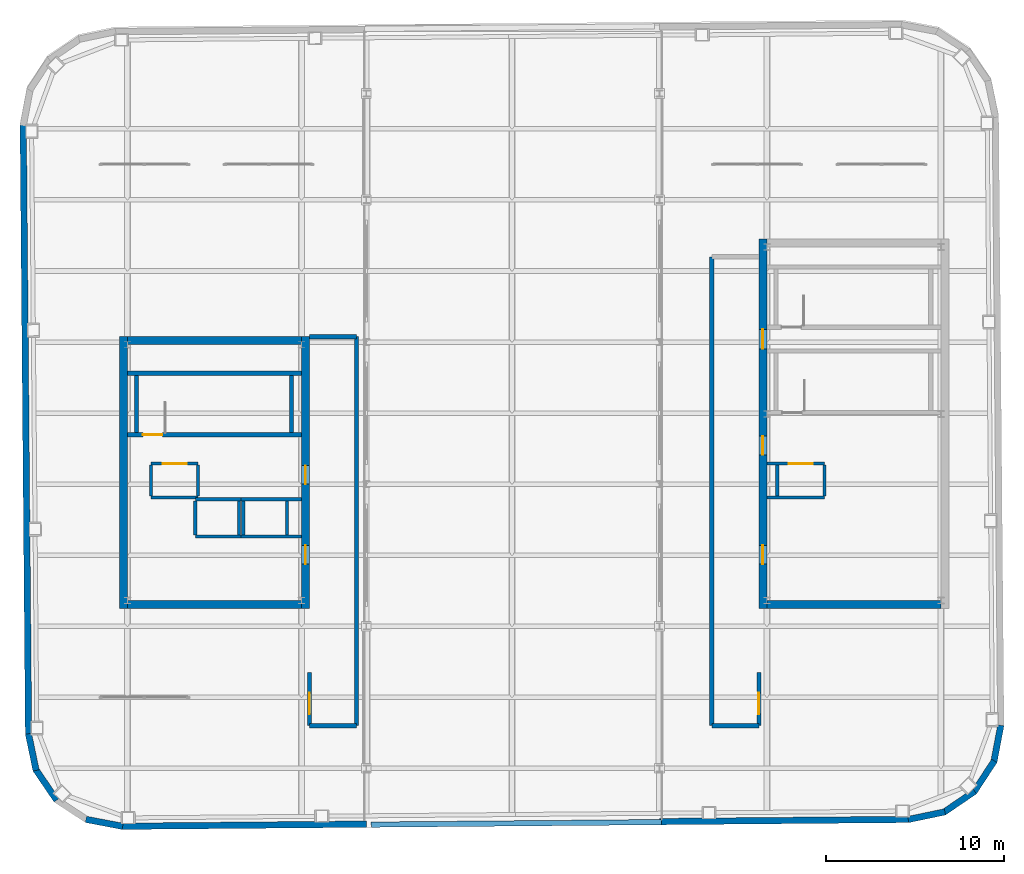
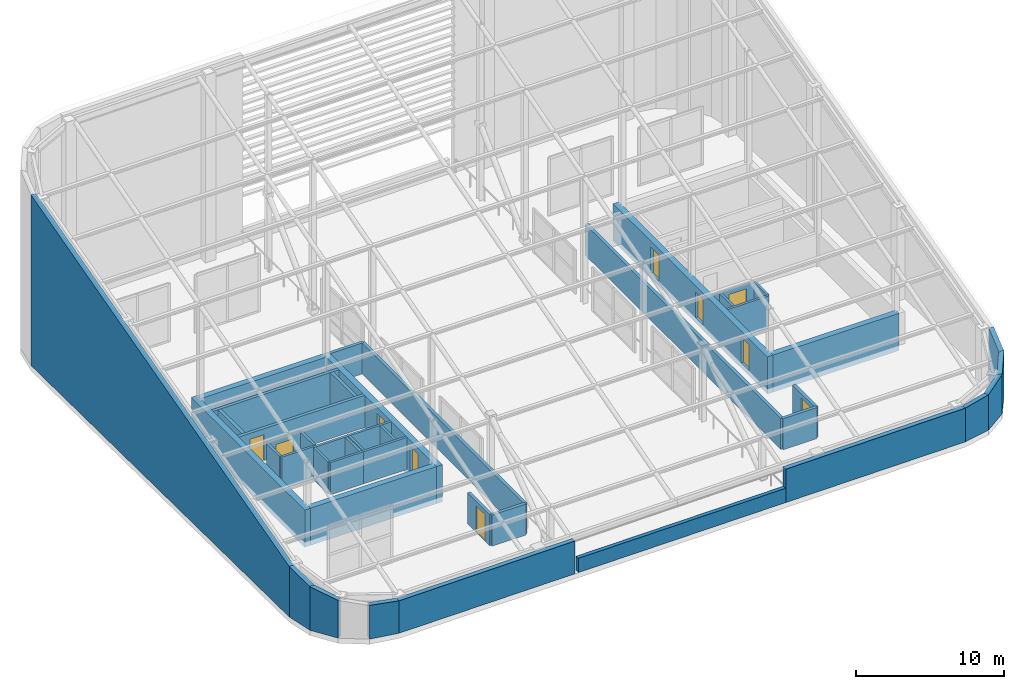
# One storey, part 15 of 17: 44 walls, 10 doors, 10 openings.
"""IFC4 building model written with IfcOpenShell, lengths in metres."""

from ifc_helpers import new_model, si_unit, direction, frame, frame_2d, origin, place, context, subcontext, project, spatial, polyline, rectangle, outline, extrude, material, layer, layer_set, type_object, element, fill, save


model = new_model("IFC4")

# Units and contexts
model_context = context("Model", 3, precision=1e-05, world=origin(), true_north=direction((0.0, 1.0)))
body_context = subcontext(model_context, "Body", "Model", "MODEL_VIEW")
ifc_project = project(units=[si_unit("LENGTHUNIT", "METRE"), si_unit("AREAUNIT", "SQUARE_METRE"), si_unit("VOLUMEUNIT", "CUBIC_METRE"), si_unit("PLANEANGLEUNIT", "RADIAN"), si_unit("MASSUNIT", "GRAM", prefix="KILO")], contexts=[model_context])

# Site, building, storey
site_placement = place(None, origin())
site = spatial("IfcSite", under=ifc_project, at=site_placement, CompositionType="ELEMENT")
building_placement = place(site_placement, origin())
building = spatial("IfcBuilding", under=site, at=building_placement, Name="Kolvaren Arena Tower", CompositionType="ELEMENT")
storey_placement = place(building_placement, frame((0.0, 0.0, 322.0)))
storey = spatial("IfcBuildingStorey", under=building, at=storey_placement, Name="Roof Crown", CompositionType="ELEMENT", Elevation=322.0)

# Wall
ifc_material_1 = material(Name="Concrete 55 MPa", Category="concrete")
ifc_layer_1 = layer(ifc_material_1, 0.449951171875)
ifc_layer_set_1 = layer_set([ifc_layer_1], Name="Concrete 55 MPa")
wall_type_1 = type_object("IfcWallType", Name="CWALL-450", PredefinedType="SHEAR", material=ifc_layer_set_1)
wall_1_placement = place(storey_placement, frame((14.324951171875, 19.0, -0.419921875), z_axis=(0.0, 0.0, 1.0), x_axis=(0.0, 1.0, 0.0)))
element("IfcWall", 1, at=wall_1_placement, inside=storey, type_object=wall_type_1, Name="Core Shear Wall WC-WEST (Roof Crown)", PredefinedType="SHEAR", context=body_context, shape_type="SweptSolid", body=[
    extrude(rectangle(XDim=15.300048828125, YDim=0.449951171875, at=frame_2d((7.64990234375, 0.0))), origin(), (0.0, 0.0, 1.0), 3.059814453125),
])

# Wall, openings, doors
wall_2_placement = place(storey_placement, frame((24.574951171875, 19.0, -0.419921875), z_axis=(0.0, 0.0, 1.0), x_axis=(0.0, 1.0, 0.0)))
wall_2 = element("IfcWall", 2, at=wall_2_placement, inside=storey, type_object=wall_type_1, Name="Core Shear Wall WC-EAST (Roof Crown)", PredefinedType="SHEAR", context=body_context, shape_type="SweptSolid", body=[
    extrude(rectangle(XDim=15.300048828125, YDim=0.449951171875, at=frame_2d((7.64990234375, 0.0))), origin(), (0.0, 0.0, 1.0), 3.059814453125),
])
opening_1_placement = place(wall_2_placement, frame((2.5, 0.0, 0.419921875)))
opening_1 = element("IfcOpeningElement", 3, at=opening_1_placement, cuts=wall_2, Name="Opening D04", PredefinedType="OPENING", context=body_context, shape_type="SweptSolid", body=[
    extrude(rectangle(XDim=1.050048828125, YDim=2.14990234375, at=frame_2d((0.52490234375, 1.074951171875))), frame((0.0, 0.23486328125, 0.0), z_axis=(0.0, -1.0, 0.0), x_axis=(1.0, 0.0, 0.0)), (0.0, 0.0, 1.0), 0.469970703125),
])
opening_2_placement = place(wall_2_placement, frame((7.0, 0.0, 0.419921875)))
opening_2 = element("IfcOpeningElement", 4, at=opening_2_placement, cuts=wall_2, Name="Opening D04", PredefinedType="OPENING", context=body_context, shape_type="SweptSolid", body=[
    extrude(rectangle(XDim=1.050048828125, YDim=2.14990234375, at=frame_2d((0.52490234375, 1.074951171875))), frame((0.0, 0.23486328125, 0.0), z_axis=(0.0, -1.0, 0.0), x_axis=(1.0, 0.0, 0.0)), (0.0, 0.0, 1.0), 0.469970703125),
])
ifc_material_2 = material(Name="Fire-rated steel lobby door", Category="steel")
door_type_1 = type_object("IfcDoorType", Name="DOOR-FF-105", OperationType="NOTDEFINED", PredefinedType="DOOR", material=ifc_material_2)
door_1_placement = place(opening_1_placement, origin())
door_1 = element("IfcDoor", 5, at=door_1_placement, inside=storey, type_object=door_type_1, Name="West Lift Lobby Fire Door (Roof Crown)", OperationType="SINGLE_SWING_LEFT", OverallHeight=2.14990234375, OverallWidth=1.050048828125, PredefinedType="DOOR", context=body_context, shape_type="SweptSolid", body=[
    extrude(rectangle(XDim=1.050048828125, YDim=2.14990234375, at=frame_2d((0.52490234375, 1.074951171875))), frame((0.0, 0.02490234375, 0.0), z_axis=(0.0, -1.0, 0.0), x_axis=(1.0, 0.0, 0.0)), (0.0, 0.0, 1.0), 0.050048828125),
])
fill(opening_1, door_1)
door_2_placement = place(opening_2_placement, origin())
door_2 = element("IfcDoor", 6, at=door_2_placement, inside=storey, type_object=door_type_1, Name="West Firefighter Vestibule Door (Roof Crown)", OperationType="SINGLE_SWING_RIGHT", OverallHeight=2.14990234375, OverallWidth=1.050048828125, PredefinedType="DOOR", context=body_context, shape_type="SweptSolid", body=[
    extrude(rectangle(XDim=1.050048828125, YDim=2.14990234375, at=frame_2d((0.52490234375, 1.074951171875))), frame((0.0, 0.02490234375, 0.0), z_axis=(0.0, -1.0, 0.0), x_axis=(1.0, 0.0, 0.0)), (0.0, 0.0, 1.0), 0.050048828125),
])
fill(opening_2, door_2)

# Walls
for number, where, z_axis, x_axis, name in (
    (7, (14.550048828125, 19.22509765625, -0.419921875), (0.0, 0.0, 1.0), (1.0, 0.0, 0.0), "Core Shear Wall WC-SOUTH (Roof Crown)"),
    (8, (14.550048828125, 34.074951171875, -0.419921875), (0.0, 0.0, 1.0), (1.0, 0.0, 0.0), "Core Shear Wall WC-NORTH (Roof Crown)"),
):
    element("IfcWall", number, at=place(storey_placement, frame(where, z_axis=z_axis, x_axis=x_axis)), inside=storey, type_object=wall_type_1, Name=name, PredefinedType="SHEAR", context=body_context, shape_type="SweptSolid", body=[
        extrude(rectangle(XDim=9.800048828125, YDim=0.449951171875, at=frame_2d((4.89990234375, 0.0))), origin(), (0.0, 0.0, 1.0), 3.059814453125),
    ])

# Wall, openings, doors
wall_3_placement = place(storey_placement, frame((50.324951171875, 19.0, -0.419921875), z_axis=(0.0, 0.0, 1.0), x_axis=(0.0, 1.0, 0.0)))
wall_3 = element("IfcWall", 9, at=wall_3_placement, inside=storey, type_object=wall_type_1, Name="Core Shear Wall EC-WEST (Roof Crown)", PredefinedType="SHEAR", context=body_context, shape_type="SweptSolid", body=[
    extrude(rectangle(XDim=20.800048828125, YDim=0.449951171875, at=frame_2d((10.39990234375, 0.0))), origin(), (0.0, 0.0, 1.0), 3.059814453125),
])
opening_3_placement = place(wall_3_placement, frame((2.5, 0.0, 0.419921875)))
opening_3 = element("IfcOpeningElement", 10, at=opening_3_placement, cuts=wall_3, Name="Opening D04", PredefinedType="OPENING", context=body_context, shape_type="SweptSolid", body=[
    extrude(rectangle(XDim=1.050048828125, YDim=2.14990234375, at=frame_2d((0.52490234375, 1.074951171875))), frame((0.0, 0.23486328125, 0.0), z_axis=(0.0, -1.0, 0.0), x_axis=(1.0, 0.0, 0.0)), (0.0, 0.0, 1.0), 0.469970703125),
])
opening_4_placement = place(wall_3_placement, frame((8.64990234375, 0.0, 0.419921875)))
opening_4 = element("IfcOpeningElement", 11, at=opening_4_placement, cuts=wall_3, Name="Opening D04", PredefinedType="OPENING", context=body_context, shape_type="SweptSolid", body=[
    extrude(rectangle(XDim=1.050048828125, YDim=2.14990234375, at=frame_2d((0.52490234375, 1.074951171875))), frame((0.0, 0.23486328125, 0.0), z_axis=(0.0, -1.0, 0.0), x_axis=(1.0, 0.0, 0.0)), (0.0, 0.0, 1.0), 0.469970703125),
])
opening_5_placement = place(wall_3_placement, frame((14.6201171875, 0.0, 0.419921875)))
opening_5 = element("IfcOpeningElement", 12, at=opening_5_placement, cuts=wall_3, Name="Opening D03", PredefinedType="OPENING", context=body_context, shape_type="SweptSolid", body=[
    extrude(rectangle(XDim=1.10009765625, YDim=2.14990234375, at=frame_2d((0.550048828125, 1.074951171875))), frame((0.0, 0.23486328125, 0.0), z_axis=(0.0, -1.0, 0.0), x_axis=(1.0, 0.0, 0.0)), (0.0, 0.0, 1.0), 0.469970703125),
])
door_3_placement = place(opening_3_placement, origin())
door_3 = element("IfcDoor", 13, at=door_3_placement, inside=storey, type_object=door_type_1, Name="East Lift Lobby Fire Door (Roof Crown)", OperationType="SINGLE_SWING_RIGHT", OverallHeight=2.14990234375, OverallWidth=1.050048828125, PredefinedType="DOOR", context=body_context, shape_type="SweptSolid", body=[
    extrude(rectangle(XDim=1.050048828125, YDim=2.14990234375, at=frame_2d((0.52490234375, 1.074951171875))), frame((0.0, 0.02490234375, 0.0), z_axis=(0.0, -1.0, 0.0), x_axis=(1.0, 0.0, 0.0)), (0.0, 0.0, 1.0), 0.050048828125),
])
fill(opening_3, door_3)
door_4_placement = place(opening_4_placement, origin())
door_4 = element("IfcDoor", 14, at=door_4_placement, inside=storey, type_object=door_type_1, Name="East Firefighter Vestibule Door (Roof Crown)", OperationType="SINGLE_SWING_LEFT", OverallHeight=2.14990234375, OverallWidth=1.050048828125, PredefinedType="DOOR", context=body_context, shape_type="SweptSolid", body=[
    extrude(rectangle(XDim=1.050048828125, YDim=2.14990234375, at=frame_2d((0.52490234375, 1.074951171875))), frame((0.0, 0.02490234375, 0.0), z_axis=(0.0, -1.0, 0.0), x_axis=(1.0, 0.0, 0.0)), (0.0, 0.0, 1.0), 0.050048828125),
])
fill(opening_4, door_4)
ifc_material_3 = material(Name="Fire-rated steel exit stair door", Category="steel")
door_type_2 = type_object("IfcDoorType", Name="DOOR-ST-110", OperationType="NOTDEFINED", PredefinedType="DOOR", material=ifc_material_3)
door_5_placement = place(opening_5_placement, origin())
door_5 = element("IfcDoor", 15, at=door_5_placement, inside=storey, type_object=door_type_2, Name="Stair ST-E2 Vestibule Fire Door (Roof Crown)", OperationType="SINGLE_SWING_LEFT", OverallHeight=2.14990234375, OverallWidth=1.10009765625, PredefinedType="DOOR", context=body_context, shape_type="SweptSolid", body=[
    extrude(rectangle(XDim=1.10009765625, YDim=2.14990234375, at=frame_2d((0.550048828125, 1.074951171875))), frame((0.0, 0.02490234375, 0.0), z_axis=(0.0, -1.0, 0.0), x_axis=(1.0, 0.0, 0.0)), (0.0, 0.0, 1.0), 0.050048828125),
])
fill(opening_5, door_5)

# Walls
wall_4_placement = place(storey_placement, frame((50.550048828125, 19.22509765625, -0.419921875), z_axis=(0.0, 0.0, 1.0), x_axis=(1.0, 0.0, 0.0)))
element("IfcWall", 16, at=wall_4_placement, inside=storey, type_object=wall_type_1, Name="Core Shear Wall EC-SOUTH (Roof Crown)", PredefinedType="SHEAR", context=body_context, shape_type="SweptSolid", body=[
    extrude(rectangle(XDim=9.800048828125, YDim=0.449951171875, at=frame_2d((4.89990234375, 0.0))), origin(), (0.0, 0.0, 1.0), 3.059814453125),
])
ifc_material_4 = material(Name="Precast concrete C50/60", Category="concrete")
ifc_layer_2 = layer(ifc_material_4, 0.360107421875)
ifc_layer_set_2 = layer_set([ifc_layer_2], Name="Precast concrete C50/60")
wall_type_2 = type_object("IfcWallType", Name="EXT-PIER2", PredefinedType="SOLIDWALL", material=ifc_layer_set_2)
wall_5_placement = place(storey_placement, frame((60.572265625, 7.54931640625, 0.0), z_axis=(0.0, 0.0, 1.0), x_axis=(-0.979059388908, -0.203574833883, 0.0)))
element("IfcWall", 17, at=wall_5_placement, inside=storey, type_object=wall_type_2, Name="Crown Raked Precast Facade Wall (Roof Crown)", PredefinedType="SOLIDWALL", context=body_context, shape_type="SweptSolid", body=[
    extrude(outline(polyline([(0.0, 0.0), (2.107177734375, 0.0), (2.10693359375, 2.77685546875), (0.0, 2.900390625), (0.0, 0.0)])), frame((0.0, 0.18017578125, 0.0), z_axis=(0.0, -1.0, 0.0), x_axis=(1.0, 0.0, 0.0)), (0.0, 0.0, 1.0), 0.360107421875),
])
wall_6_placement = place(storey_placement, frame((62.2490234375, 8.707763671875, 0.0), z_axis=(0.0, 0.0, 1.0), x_axis=(-0.826572866302, -0.562829722645, 0.0)))
element("IfcWall", 18, at=wall_6_placement, inside=storey, type_object=wall_type_2, Name="Crown Raked Precast Facade Wall (Roof Crown)", PredefinedType="SOLIDWALL", context=body_context, shape_type="SweptSolid", body=[
    extrude(outline(polyline([(0.0, 0.0), (2.10693359375, 0.0), (2.10693359375, 2.892578125), (0.0, 3.234375), (0.0, 0.0)])), frame((0.0, 0.18017578125, 0.0), z_axis=(0.0, -1.0, 0.0), x_axis=(1.0, 0.0, 0.0)), (0.0, 0.0, 1.0), 0.360107421875),
])
wall_7_placement = place(storey_placement, frame((63.35498046875, 10.419921875, 0.0), z_axis=(0.0, 0.0, 1.0), x_axis=(-0.54818559406, -0.836356714844, 0.0)))
element("IfcWall", 19, at=wall_7_placement, inside=storey, type_object=wall_type_2, Name="Crown Raked Precast Facade Wall (Roof Crown)", PredefinedType="SOLIDWALL", context=body_context, shape_type="SweptSolid", body=[
    extrude(outline(polyline([(0.0, 0.0), (2.10693359375, 0.0), (2.10693359375, 3.219970703125), (0.0, 3.727783203125), (0.0, 0.0)])), frame((0.0, 0.18017578125, 0.0), z_axis=(0.0, -1.0, 0.0), x_axis=(1.0, 0.0, 0.0)), (0.0, 0.0, 1.0), 0.360107421875),
])
wall_8_placement = place(storey_placement, frame((63.7216796875, 12.4248046875, 0.0), z_axis=(0.0, 0.0, 1.0), x_axis=(-0.186435855703, -0.98246713518, 0.0)))
element("IfcWall", 20, at=wall_8_placement, inside=storey, type_object=wall_type_2, Name="Crown Raked Precast Facade Wall (Roof Crown)", PredefinedType="SOLIDWALL", context=body_context, shape_type="SweptSolid", body=[
    extrude(outline(polyline([(0.0, 0.0), (2.10693359375, 0.0), (2.10693359375, 3.708984375), (0.0, 4.3056640625), (0.0, 0.0)])), frame((0.0, 0.18017578125, 0.0), z_axis=(0.0, -1.0, 0.0), x_axis=(1.0, 0.0, 0.0)), (0.0, 0.0, 1.0), 0.360107421875),
])
wall_9_placement = place(storey_placement, frame((8.980712890625, 11.911865234375, 0.0), z_axis=(0.0, 0.0, 1.0), x_axis=(-0.008726453825, 0.999961923777, 0.0)))
element("IfcWall", 21, at=wall_9_placement, inside=storey, type_object=wall_type_2, Name="Crown Raked Precast Facade Wall (Roof Crown)", PredefinedType="SOLIDWALL", context=body_context, shape_type="SweptSolid", body=[
    extrude(outline(polyline([(0.0, 0.0), (34.2998046875, 0.0), (34.300048828125, 14.04443359375), (0.0, 4.157958984375), (0.0, 0.0)])), frame((0.0, 0.18017578125, 0.0), z_axis=(0.0, -1.0, 0.0), x_axis=(1.0, 0.0, 0.0)), (0.0, 0.0, 1.0), 0.360107421875),
])
wall_10_placement = place(storey_placement, frame((9.406005859375, 9.884033203125, 0.0), z_axis=(0.0, 0.0, 1.0), x_axis=(-0.203685893209, 0.979036289883, 0.0)))
element("IfcWall", 22, at=wall_10_placement, inside=storey, type_object=wall_type_2, Name="Crown Raked Precast Facade Wall (Roof Crown)", PredefinedType="SOLIDWALL", context=body_context, shape_type="SweptSolid", body=[
    extrude(outline(polyline([(0.0, 0.0), (2.107177734375, 0.0), (2.10693359375, 4.16796875), (0.0, 3.573486328125), (0.0, 0.0)])), frame((0.0, 0.18017578125, 0.0), z_axis=(0.0, -1.0, 0.0), x_axis=(1.0, 0.0, 0.0)), (0.0, 0.0, 1.0), 0.360107421875),
])
wall_11_placement = place(storey_placement, frame((10.564453125, 8.20703125, 0.0), z_axis=(0.0, 0.0, 1.0), x_axis=(-0.56277581689, 0.826609569219, 0.0)))
element("IfcWall", 23, at=wall_11_placement, inside=storey, type_object=wall_type_2, Name="Crown Raked Precast Facade Wall (Roof Crown)", PredefinedType="SOLIDWALL", context=body_context, shape_type="SweptSolid", body=[
    extrude(outline(polyline([(0.0, 0.0), (2.10693359375, 0.0), (2.10693359375, 3.592041015625), (0.0, 3.090087890625), (0.0, 0.0)])), frame((0.0, 0.18017578125, 0.0), z_axis=(0.0, -1.0, 0.0), x_axis=(1.0, 0.0, 0.0)), (0.0, 0.0, 1.0), 0.360107421875),
])
wall_12_placement = place(storey_placement, frame((14.28125, 6.734375, 0.0), z_axis=(0.0, 0.0, 1.0), x_axis=(-0.982445905584, 0.186547695246, 0.0)))
element("IfcWall", 24, at=wall_12_placement, inside=storey, type_object=wall_type_2, Name="Crown Raked Precast Facade Wall (Roof Crown)", PredefinedType="SOLIDWALL", context=body_context, shape_type="SweptSolid", body=[
    extrude(outline(polyline([(0.0, 0.0), (2.107177734375, 0.0), (2.10693359375, 2.77880859375), (0.0, 2.66552734375), (0.0, 0.0)])), frame((0.0, 0.18017578125, 0.0), z_axis=(0.0, -1.0, 0.0), x_axis=(1.0, 0.0, 0.0)), (0.0, 0.0, 1.0), 0.360107421875),
])
wall_13_placement = place(storey_placement, frame((28.0, 6.857666015625, 0.0), z_axis=(0.0, 0.0, 1.0), x_axis=(-0.999961866791, -0.00873298137, 0.0)))
element("IfcWall", 25, at=wall_13_placement, inside=storey, type_object=wall_type_2, Name="Crown Raked Precast Facade Wall (Roof Crown)", PredefinedType="SOLIDWALL", context=body_context, shape_type="SweptSolid", body=[
    extrude(outline(polyline([(0.0, 0.0), (13.75439453125, 0.0), (13.75439453125, 2.66650390625), (0.0, 2.700927734375), (0.0, 0.0)])), frame((0.0, 0.18017578125, 0.0), z_axis=(0.0, -1.0, 0.0), x_axis=(1.0, 0.0, 0.0)), (0.0, 0.0, 1.0), 0.360107421875),
])
wall_14_placement = place(storey_placement, frame((58.544189453125, 7.124267578125, 0.0), z_axis=(0.0, 0.0, 1.0), x_axis=(-0.999961925047, -0.008726308325, 0.0)))
element("IfcWall", 26, at=wall_14_placement, inside=storey, type_object=wall_type_2, Name="Crown Raked Precast Facade Wall (Roof Crown)", PredefinedType="SOLIDWALL", context=body_context, shape_type="SweptSolid", body=[
    extrude(outline(polyline([(0.0, 0.0), (14.044677734375, 0.0), (14.044921875, 2.742431640625), (0.0, 2.77783203125), (0.0, 0.0)])), frame((0.0, 0.18017578125, 0.0), z_axis=(0.0, -1.0, 0.0), x_axis=(1.0, 0.0, 0.0)), (0.0, 0.0, 1.0), 0.360107421875),
])
ifc_material_5 = material(Name="Precast concrete C45/55", Category="concrete")
ifc_layer_3 = layer(ifc_material_5, 0.300048828125)
ifc_layer_set_3 = layer_set([ifc_layer_3], Name="Precast concrete C45/55")
wall_type_3 = type_object("IfcWallType", Name="PARAP-300", PredefinedType="PARAPET", material=ifc_layer_set_3)
wall_15_placement = place(storey_placement, frame((28.27587890625, 6.830078125, 0.0), z_axis=(0.0, 0.0, 1.0), x_axis=(0.999961930151, 0.008725723444, 0.0)))
element("IfcWall", 27, at=wall_15_placement, inside=storey, type_object=wall_type_3, Name="Wind-Portal Threshold Sill Parapet (South)", PredefinedType="PARAPET", context=body_context, shape_type="SweptSolid", body=[
    extrude(rectangle(XDim=16.340087890625, YDim=0.300048828125, at=frame_2d((8.169921875, 0.0))), origin(), (0.0, 0.0, 1.0), 1.179931640625),
])

# Wall, opening, door
ifc_material_6 = material(Name="Concrete 45 MPa", Category="concrete")
ifc_layer_4 = layer(ifc_material_6, 0.25)
ifc_layer_set_4 = layer_set([ifc_layer_4], Name="Concrete 45 MPa")
wall_type_4 = type_object("IfcWallType", Name="SHAFT-250", PredefinedType="SOLIDWALL", material=ifc_layer_set_4)
wall_16_placement = place(storey_placement, frame((24.35009765625, 28.780029296875, 0.0), z_axis=(0.0, 0.0, 1.0), x_axis=(-1.0, 0.0, 0.0)))
wall_16 = element("IfcWall", 28, at=wall_16_placement, inside=storey, type_object=wall_type_4, Name="Core Shaft Wall (Roof Crown)", PredefinedType="SOLIDWALL", context=body_context, shape_type="SweptSolid", body=[
    extrude(rectangle(XDim=9.800048828125, YDim=0.239990234375, at=frame_2d((4.89990234375, 0.0))), origin(), (0.0, 0.0, 1.0), 2.639892578125),
])
opening_6_placement = place(wall_16_placement, frame((7.830078125, 0.0, 0.0)))
opening_6 = element("IfcOpeningElement", 29, at=opening_6_placement, cuts=wall_16, Name="Opening D03", PredefinedType="OPENING", context=body_context, shape_type="SweptSolid", body=[
    extrude(rectangle(XDim=1.10009765625, YDim=2.14990234375, at=frame_2d((0.550048828125, 1.074951171875))), frame((0.0, 0.1298828125, 0.0), z_axis=(0.0, -1.0, 0.0), x_axis=(1.0, 0.0, 0.0)), (0.0, 0.0, 1.0), 0.260009765625),
])
door_6_placement = place(opening_6_placement, origin())
door_6 = element("IfcDoor", 30, at=door_6_placement, inside=storey, type_object=door_type_2, Name="Stair ST-W1 Fire Door (Roof Crown)", OperationType="SINGLE_SWING_RIGHT", OverallHeight=2.14990234375, OverallWidth=1.10009765625, PredefinedType="DOOR", context=body_context, shape_type="SweptSolid", body=[
    extrude(rectangle(XDim=1.10009765625, YDim=2.14990234375, at=frame_2d((0.550048828125, 1.074951171875))), frame((0.0, 0.02490234375, 0.0), z_axis=(0.0, -1.0, 0.0), x_axis=(1.0, 0.0, 0.0)), (0.0, 0.0, 1.0), 0.050048828125),
])
fill(opening_6, door_6)

# Walls
wall_17_placement = place(storey_placement, frame((14.550048828125, 32.25, 0.0), z_axis=(0.0, 0.0, 1.0), x_axis=(1.0, 0.0, 0.0)))
element("IfcWall", 31, at=wall_17_placement, inside=storey, type_object=wall_type_4, Name="Core Shaft Wall (Roof Crown)", PredefinedType="SOLIDWALL", context=body_context, shape_type="SweptSolid", body=[
    extrude(rectangle(XDim=9.800048828125, YDim=0.239990234375, at=frame_2d((4.89990234375, 0.0))), origin(), (0.0, 0.0, 1.0), 2.639892578125),
])
for number, where, z_axis, x_axis, name in (
    (32, (15.06005859375, 28.89990234375, 0.0), (0.0, 0.0, 1.0), (0.0, 1.0, 0.0), "Core Shaft Wall (Roof Crown)"),
    (33, (23.780029296875, 28.89990234375, 0.0), (0.0, 0.0, 1.0), (0.0, 1.0, 0.0), "Core Shaft Wall (Roof Crown)"),
):
    element("IfcWall", number, at=place(storey_placement, frame(where, z_axis=z_axis, x_axis=x_axis)), inside=storey, type_object=wall_type_4, Name=name, PredefinedType="SOLIDWALL", context=body_context, shape_type="SweptSolid", body=[
        extrude(rectangle(XDim=3.22998046875, YDim=0.239990234375, at=frame_2d((1.614990234375, 0.0))), origin(), (0.0, 0.0, 1.0), 2.639892578125),
    ])

# Wall, opening, door
wall_18_placement = place(storey_placement, frame((50.550048828125, 27.155029296875, 0.0), z_axis=(0.0, 0.0, 1.0), x_axis=(1.0, 0.0, 0.0)))
wall_18 = element("IfcWall", 34, at=wall_18_placement, inside=storey, type_object=wall_type_4, Name="Core Shaft Wall (Roof Crown)", PredefinedType="SOLIDWALL", context=body_context, shape_type="SweptSolid", body=[
    extrude(rectangle(XDim=3.239990234375, YDim=0.179931640625, at=frame_2d((1.6201171875, 0.0))), origin(), (0.0, 0.0, 1.0), 2.639892578125),
])
opening_7_placement = place(wall_18_placement, frame((1.235107421875, 0.0, 0.0)))
opening_7 = element("IfcOpeningElement", 35, at=opening_7_placement, cuts=wall_18, Name="Opening LD2", PredefinedType="OPENING", context=body_context, shape_type="SweptSolid", body=[
    extrude(rectangle(XDim=1.35009765625, YDim=2.300048828125, at=frame_2d((0.675048828125, 1.14990234375))), frame((0.0, 0.099853515625, 0.0), z_axis=(0.0, -1.0, 0.0), x_axis=(1.0, 0.0, 0.0)), (0.0, 0.0, 1.0), 0.199951171875),
])
ifc_material_7 = material(Name="Stainless steel firefighter lift landing door", Category="steel")
door_type_3 = type_object("IfcDoorType", Name="DOOR-LD-135", OperationType="DOUBLE_DOOR_SLIDING", PredefinedType="DOOR", material=ifc_material_7)
door_7_placement = place(opening_7_placement, origin())
door_7 = element("IfcDoor", 36, at=door_7_placement, inside=storey, type_object=door_type_3, Name="Firefighter Lift FF-E1 Landing Door (Roof Crown)", OperationType="DOUBLE_DOOR_SLIDING", OverallHeight=2.300048828125, OverallWidth=1.35009765625, PredefinedType="DOOR", context=body_context, shape_type="SweptSolid", body=[
    extrude(rectangle(XDim=1.35009765625, YDim=2.300048828125, at=frame_2d((0.675048828125, 1.14990234375))), frame((0.0, 0.02490234375, 0.0), z_axis=(0.0, -1.0, 0.0), x_axis=(1.0, 0.0, 0.0)), (0.0, 0.0, 1.0), 0.050048828125),
])
fill(opening_7, door_7)

# Walls
wall_19_placement = place(storey_placement, frame((50.550048828125, 25.2451171875, 0.0), z_axis=(0.0, 0.0, 1.0), x_axis=(1.0, 0.0, 0.0)))
element("IfcWall", 37, at=wall_19_placement, inside=storey, type_object=wall_type_4, Name="Core Shaft Wall (Roof Crown)", PredefinedType="SOLIDWALL", context=body_context, shape_type="SweptSolid", body=[
    extrude(rectangle(XDim=3.239990234375, YDim=0.179931640625, at=frame_2d((1.6201171875, 0.0))), origin(), (0.0, 0.0, 1.0), 2.639892578125),
])
for number, where, z_axis, x_axis, name in (
    (38, (51.1298828125, 25.3349609375, 0.0), (0.0, 0.0, 1.0), (0.0, 1.0, 0.0), "Core Shaft Wall (Roof Crown)"),
    (39, (53.7900390625, 25.3349609375, 0.0), (0.0, 0.0, 1.0), (0.0, 1.0, 0.0), "Core Shaft Wall (Roof Crown)"),
):
    element("IfcWall", number, at=place(storey_placement, frame(where, z_axis=z_axis, x_axis=x_axis)), inside=storey, type_object=wall_type_4, Name=name, PredefinedType="SOLIDWALL", context=body_context, shape_type="SweptSolid", body=[
        extrude(rectangle(XDim=1.72998046875, YDim=0.179931640625, at=frame_2d((0.864990234375, 0.0))), origin(), (0.0, 0.0, 1.0), 2.639892578125),
    ])
for number, where, z_axis, x_axis, name in (
    (40, (18.3701171875, 25.155029296875, 0.0), (0.0, 0.0, 1.0), (1.0, 0.0, 0.0), "Core Shaft Wall (Roof Crown)"),
    (41, (18.3701171875, 23.044921875, 0.0), (0.0, 0.0, 1.0), (1.0, 0.0, 0.0), "Core Shaft Wall (Roof Crown)"),
):
    element("IfcWall", number, at=place(storey_placement, frame(where, z_axis=z_axis, x_axis=x_axis)), inside=storey, type_object=wall_type_4, Name=name, PredefinedType="SOLIDWALL", context=body_context, shape_type="SweptSolid", body=[
        extrude(rectangle(XDim=2.579833984375, YDim=0.179931640625, at=frame_2d((1.2900390625, 0.0))), origin(), (0.0, 0.0, 1.0), 2.639892578125),
    ])
for number, where, z_axis, x_axis, name in (
    (42, (18.3701171875, 23.135009765625, 0.0), (0.0, 0.0, 1.0), (0.0, 1.0, 0.0), "Core Shaft Wall (Roof Crown)"),
    (43, (20.830078125, 23.135009765625, 0.0), (0.0, 0.0, 1.0), (0.0, 1.0, 0.0), "Core Shaft Wall (Roof Crown)"),
):
    element("IfcWall", number, at=place(storey_placement, frame(where, z_axis=z_axis, x_axis=x_axis)), inside=storey, type_object=wall_type_4, Name=name, PredefinedType="SOLIDWALL", context=body_context, shape_type="SweptSolid", body=[
        extrude(rectangle(XDim=1.929931640625, YDim=0.179931640625, at=frame_2d((0.96484375, 0.0))), origin(), (0.0, 0.0, 1.0), 2.639892578125),
    ])
for number, where, z_axis, x_axis, name in (
    (44, (20.949951171875, 25.155029296875, 0.0), (0.0, 0.0, 1.0), (1.0, 0.0, 0.0), "Core Shaft Wall (Roof Crown)"),
    (45, (20.949951171875, 23.044921875, 0.0), (0.0, 0.0, 1.0), (1.0, 0.0, 0.0), "Core Shaft Wall (Roof Crown)"),
):
    element("IfcWall", number, at=place(storey_placement, frame(where, z_axis=z_axis, x_axis=x_axis)), inside=storey, type_object=wall_type_4, Name=name, PredefinedType="SOLIDWALL", context=body_context, shape_type="SweptSolid", body=[
        extrude(rectangle(XDim=3.400146484375, YDim=0.179931640625, at=frame_2d((1.7001953125, 0.0))), origin(), (0.0, 0.0, 1.0), 2.639892578125),
    ])
for number, where, z_axis, x_axis, name in (
    (46, (21.070068359375, 23.135009765625, 0.0), (0.0, 0.0, 1.0), (0.0, 1.0, 0.0), "Core Shaft Wall (Roof Crown)"),
    (47, (23.530029296875, 23.135009765625, 0.0), (0.0, 0.0, 1.0), (0.0, 1.0, 0.0), "Core Shaft Wall (Roof Crown)"),
):
    element("IfcWall", number, at=place(storey_placement, frame(where, z_axis=z_axis, x_axis=x_axis)), inside=storey, type_object=wall_type_4, Name=name, PredefinedType="SOLIDWALL", context=body_context, shape_type="SweptSolid", body=[
        extrude(rectangle(XDim=1.929931640625, YDim=0.179931640625, at=frame_2d((0.96484375, 0.0))), origin(), (0.0, 0.0, 1.0), 2.639892578125),
    ])

# Wall, opening, door
wall_20_placement = place(storey_placement, frame((15.8701171875, 27.155029296875, 0.0), z_axis=(0.0, 0.0, 1.0), x_axis=(1.0, 0.0, 0.0)))
wall_20 = element("IfcWall", 48, at=wall_20_placement, inside=storey, type_object=wall_type_4, Name="Core Shaft Wall (Roof Crown)", PredefinedType="SOLIDWALL", context=body_context, shape_type="SweptSolid", body=[
    extrude(rectangle(XDim=2.659912109375, YDim=0.179931640625, at=frame_2d((1.330078125, 0.0))), origin(), (0.0, 0.0, 1.0), 2.639892578125),
])
opening_8_placement = place(wall_20_placement, frame((0.655029296875, 0.0, 0.0)))
opening_8 = element("IfcOpeningElement", 49, at=opening_8_placement, cuts=wall_20, Name="Opening LD2", PredefinedType="OPENING", context=body_context, shape_type="SweptSolid", body=[
    extrude(rectangle(XDim=1.35009765625, YDim=2.300048828125, at=frame_2d((0.675048828125, 1.14990234375))), frame((0.0, 0.099853515625, 0.0), z_axis=(0.0, -1.0, 0.0), x_axis=(1.0, 0.0, 0.0)), (0.0, 0.0, 1.0), 0.199951171875),
])
door_8_placement = place(opening_8_placement, origin())
door_8 = element("IfcDoor", 50, at=door_8_placement, inside=storey, type_object=door_type_3, Name="Firefighter Lift FF-W1 Landing Door (Roof Crown)", OperationType="DOUBLE_DOOR_SLIDING", OverallHeight=2.300048828125, OverallWidth=1.35009765625, PredefinedType="DOOR", context=body_context, shape_type="SweptSolid", body=[
    extrude(rectangle(XDim=1.35009765625, YDim=2.300048828125, at=frame_2d((0.675048828125, 1.14990234375))), frame((0.0, 0.02490234375, 0.0), z_axis=(0.0, -1.0, 0.0), x_axis=(1.0, 0.0, 0.0)), (0.0, 0.0, 1.0), 0.050048828125),
])
fill(opening_8, door_8)

# Walls
wall_21_placement = place(storey_placement, frame((15.8701171875, 25.2451171875, 0.0), z_axis=(0.0, 0.0, 1.0), x_axis=(1.0, 0.0, 0.0)))
element("IfcWall", 51, at=wall_21_placement, inside=storey, type_object=wall_type_4, Name="Core Shaft Wall (Roof Crown)", PredefinedType="SOLIDWALL", context=body_context, shape_type="SweptSolid", body=[
    extrude(rectangle(XDim=2.659912109375, YDim=0.179931640625, at=frame_2d((1.330078125, 0.0))), origin(), (0.0, 0.0, 1.0), 2.639892578125),
])
for number, where, z_axis, x_axis, name in (
    (52, (15.8701171875, 25.3349609375, 0.0), (0.0, 0.0, 1.0), (0.0, 1.0, 0.0), "Core Shaft Wall (Roof Crown)"),
    (53, (18.530029296875, 25.3349609375, 0.0), (0.0, 0.0, 1.0), (0.0, 1.0, 0.0), "Core Shaft Wall (Roof Crown)"),
):
    element("IfcWall", number, at=place(storey_placement, frame(where, z_axis=z_axis, x_axis=x_axis)), inside=storey, type_object=wall_type_4, Name=name, PredefinedType="SOLIDWALL", context=body_context, shape_type="SweptSolid", body=[
        extrude(rectangle(XDim=1.72998046875, YDim=0.179931640625, at=frame_2d((0.864990234375, 0.0))), origin(), (0.0, 0.0, 1.0), 2.639892578125),
    ])
wall_22_placement = place(storey_placement, frame((27.449951171875, 12.39990234375, 0.0), z_axis=(0.0, 0.0, 1.0), x_axis=(0.0, 1.0, 0.0)))
element("IfcWall", 54, at=wall_22_placement, inside=storey, type_object=wall_type_4, Name="Interior Partition Wall (Roof Crown)", PredefinedType="SOLIDWALL", context=body_context, shape_type="SweptSolid", body=[
    extrude(rectangle(XDim=21.900146484375, YDim=0.239990234375, at=frame_2d((10.9501953125, 0.0))), origin(), (0.0, 0.0, 1.0), 2.550048828125),
])
for number, where, z_axis, x_axis, name in (
    (55, (24.800048828125, 34.300048828125, 0.0), (0.0, 0.0, 1.0), (1.0, 0.0, 0.0), "Interior Partition Wall (Roof Crown)"),
    (56, (24.800048828125, 12.39990234375, 0.0), (0.0, 0.0, 1.0), (1.0, 0.0, 0.0), "Interior Partition Wall (Roof Crown)"),
):
    element("IfcWall", number, at=place(storey_placement, frame(where, z_axis=z_axis, x_axis=x_axis)), inside=storey, type_object=wall_type_4, Name=name, PredefinedType="SOLIDWALL", context=body_context, shape_type="SweptSolid", body=[
        extrude(rectangle(XDim=2.64990234375, YDim=0.239990234375, at=frame_2d((1.324951171875, 0.0))), origin(), (0.0, 0.0, 1.0), 2.550048828125),
    ])

# Wall, opening, door
wall_23_placement = place(storey_placement, frame((24.800048828125, 12.39990234375, 0.0), z_axis=(0.0, 0.0, 1.0), x_axis=(0.0, 1.0, 0.0)))
wall_23 = element("IfcWall", 57, at=wall_23_placement, inside=storey, type_object=wall_type_4, Name="Interior Partition Wall (Roof Crown)", PredefinedType="SOLIDWALL", context=body_context, shape_type="SweptSolid", body=[
    extrude(rectangle(XDim=3.0, YDim=0.239990234375, at=frame_2d((1.5, 0.0))), origin(), (0.0, 0.0, 1.0), 2.550048828125),
])
opening_9_placement = place(wall_23_placement, frame((0.64990234375, 0.0, 0.0)))
opening_9 = element("IfcOpeningElement", 58, at=opening_9_placement, cuts=wall_23, Name="Opening D08", PredefinedType="OPENING", context=body_context, shape_type="SweptSolid", body=[
    extrude(rectangle(XDim=1.199951171875, YDim=2.199951171875, at=frame_2d((0.60009765625, 1.10009765625))), frame((0.0, 0.1298828125, 0.0), z_axis=(0.0, -1.0, 0.0), x_axis=(1.0, 0.0, 0.0)), (0.0, 0.0, 1.0), 0.260009765625),
])
ifc_material_8 = material(Name="Fire-rated steel plant room door", Category="steel")
door_type_4 = type_object("IfcDoorType", Name="DOOR-PL-120", OperationType="NOTDEFINED", PredefinedType="DOOR", material=ifc_material_8)
door_9_placement = place(opening_9_placement, origin())
door_9 = element("IfcDoor", 59, at=door_9_placement, inside=storey, type_object=door_type_4, Name="West Mechanical Plant Fire Door", OperationType="SINGLE_SWING_LEFT", OverallHeight=2.199951171875, OverallWidth=1.199951171875, PredefinedType="DOOR", context=body_context, shape_type="SweptSolid", body=[
    extrude(rectangle(XDim=1.199951171875, YDim=2.199951171875, at=frame_2d((0.60009765625, 1.10009765625))), frame((0.0, 0.02490234375, 0.0), z_axis=(0.0, -1.0, 0.0), x_axis=(1.0, 0.0, 0.0)), (0.0, 0.0, 1.0), 0.050048828125),
])
fill(opening_9, door_9)

# Walls
wall_24_placement = place(storey_placement, frame((47.449951171875, 12.39990234375, 0.0), z_axis=(0.0, 0.0, 1.0), x_axis=(0.0, 1.0, 0.0)))
element("IfcWall", 60, at=wall_24_placement, inside=storey, type_object=wall_type_4, Name="Interior Partition Wall (Roof Crown)", PredefinedType="SOLIDWALL", context=body_context, shape_type="SweptSolid", body=[
    extrude(rectangle(XDim=26.400146484375, YDim=0.239990234375, at=frame_2d((13.2001953125, 0.0))), origin(), (0.0, 0.0, 1.0), 2.550048828125),
])
wall_25_placement = place(storey_placement, frame((47.449951171875, 12.39990234375, 0.0), z_axis=(0.0, 0.0, 1.0), x_axis=(1.0, 0.0, 0.0)))
element("IfcWall", 61, at=wall_25_placement, inside=storey, type_object=wall_type_4, Name="Interior Partition Wall (Roof Crown)", PredefinedType="SOLIDWALL", context=body_context, shape_type="SweptSolid", body=[
    extrude(rectangle(XDim=2.650146484375, YDim=0.239990234375, at=frame_2d((1.3251953125, 0.0))), origin(), (0.0, 0.0, 1.0), 2.550048828125),
])

# Wall, opening, door
wall_26_placement = place(storey_placement, frame((50.10009765625, 12.39990234375, 0.0), z_axis=(0.0, 0.0, 1.0), x_axis=(0.0, 1.0, 0.0)))
wall_26 = element("IfcWall", 62, at=wall_26_placement, inside=storey, type_object=wall_type_4, Name="Interior Partition Wall (Roof Crown)", PredefinedType="SOLIDWALL", context=body_context, shape_type="SweptSolid", body=[
    extrude(rectangle(XDim=3.0, YDim=0.239990234375, at=frame_2d((1.5, 0.0))), origin(), (0.0, 0.0, 1.0), 2.550048828125),
])
opening_10_placement = place(wall_26_placement, frame((0.64990234375, 0.0, 0.0)))
opening_10 = element("IfcOpeningElement", 63, at=opening_10_placement, cuts=wall_26, Name="Opening D08", PredefinedType="OPENING", context=body_context, shape_type="SweptSolid", body=[
    extrude(rectangle(XDim=1.199951171875, YDim=2.199951171875, at=frame_2d((0.60009765625, 1.10009765625))), frame((0.0, 0.1298828125, 0.0), z_axis=(0.0, -1.0, 0.0), x_axis=(1.0, 0.0, 0.0)), (0.0, 0.0, 1.0), 0.260009765625),
])
door_10_placement = place(opening_10_placement, origin())
door_10 = element("IfcDoor", 64, at=door_10_placement, inside=storey, type_object=door_type_4, Name="East Machine Plant Fire Door", OperationType="SINGLE_SWING_RIGHT", OverallHeight=2.199951171875, OverallWidth=1.199951171875, PredefinedType="DOOR", context=body_context, shape_type="SweptSolid", body=[
    extrude(rectangle(XDim=1.199951171875, YDim=2.199951171875, at=frame_2d((0.60009765625, 1.10009765625))), frame((0.0, 0.02490234375, 0.0), z_axis=(0.0, -1.0, 0.0), x_axis=(1.0, 0.0, 0.0)), (0.0, 0.0, 1.0), 0.050048828125),
])
fill(opening_10, door_10)

save(model, "model.ifc")
